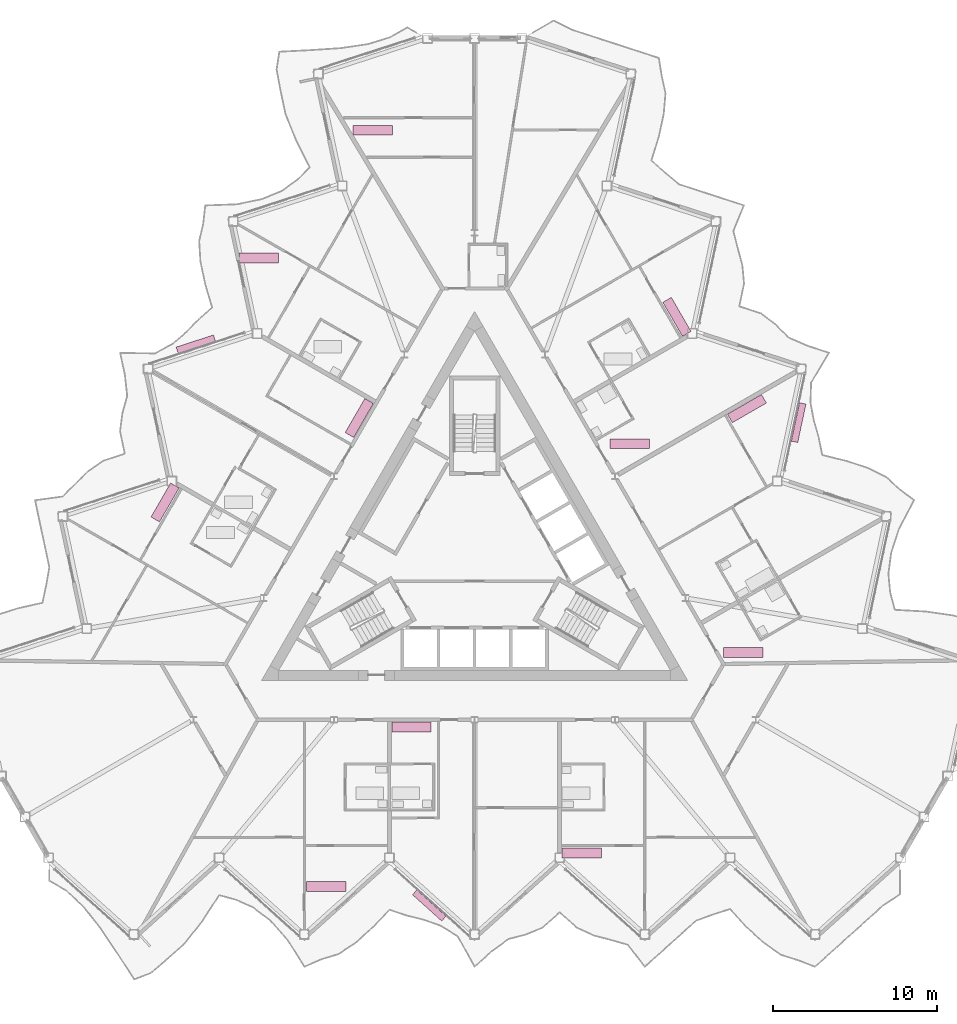
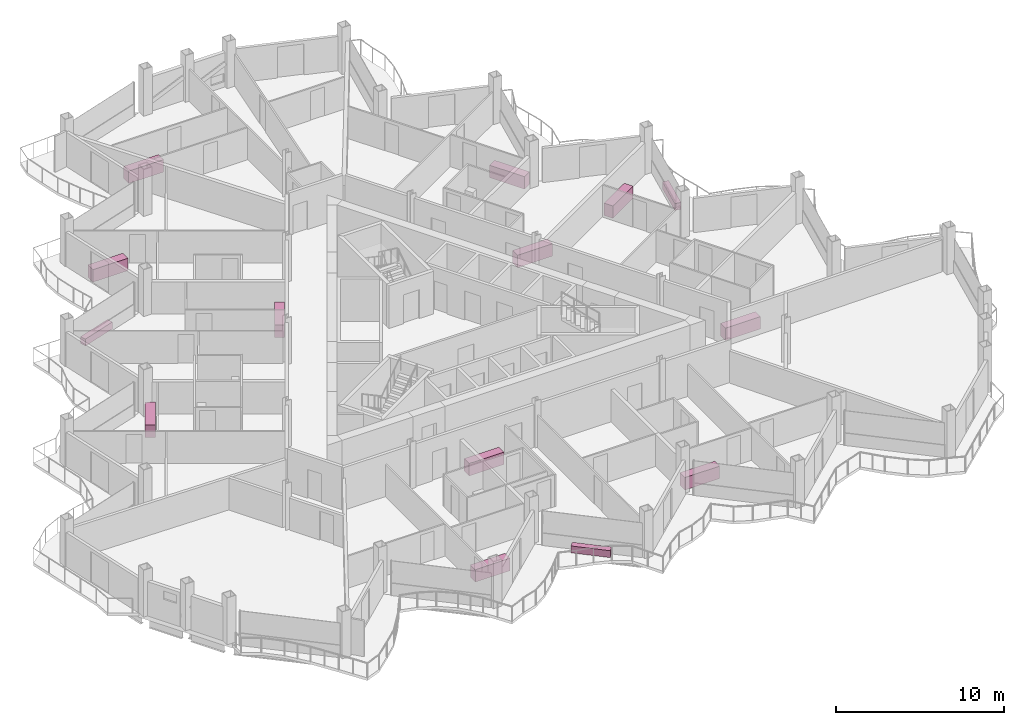
# One storey, part 26 of 26: 14 furniture elements.
"""IFC4 building model written with IfcOpenShell, lengths in metres."""

from ifc_helpers import new_model, si_unit, direction, frame, origin, origin_2d, place, context, subcontext, project, spatial, rectangle, extrude, material, type_object, element, save


model = new_model("IFC4")

# Units and contexts
model_context = context("Model", 3, precision=1e-05, world=origin(), true_north=direction((0.0, 1.0)))
body_context = subcontext(model_context, "Body", "Model", "MODEL_VIEW")
ifc_project = project(units=[si_unit("LENGTHUNIT", "METRE"), si_unit("AREAUNIT", "SQUARE_METRE"), si_unit("VOLUMEUNIT", "CUBIC_METRE"), si_unit("PLANEANGLEUNIT", "RADIAN"), si_unit("MASSUNIT", "GRAM", prefix="KILO")], contexts=[model_context])

# Site, building, storey
site_placement = place(None, origin())
site = spatial("IfcSite", under=ifc_project, at=site_placement, CompositionType="ELEMENT")
building_placement = place(site_placement, origin())
building = spatial("IfcBuilding", under=site, at=building_placement, Name="Cormorant Prow Tower", CompositionType="ELEMENT")
storey_placement = place(building_placement, frame((0.0, 0.0, 325.60009765625)))
storey = spatial("IfcBuildingStorey", under=building, at=storey_placement, Name="L72", CompositionType="ELEMENT", Elevation=325.60009765625)

# Furniture
ifc_material_1 = material(Name="Terracotta", Category="masonry")
furniture_type_1 = type_object("IfcFurnitureType", Name="Balcony planter 2400x400x500", AssemblyPlace="NOTDEFINED", PredefinedType="USERDEFINED", material=ifc_material_1)
for number, where, z_axis, x_axis, name in (
    (1, (-2.7646484375, -21.24267578125, 0.0), (0.0, 0.0, 1.0), (0.74314478215, -0.669130654479, 0.0), "Balcony planter S04"),
    (2, (19.779052734375, 8.22705078125, 0.0), (0.0, 0.0, 1.0), (0.207911691091, 0.978147600676, 0.0), "Balcony planter ENE04"),
    (3, (-17.014404296875, 13.015625, 0.0), (0.0, 0.0, 1.0), (-0.951056507348, -0.309017021913, 0.0), "Balcony planter WNW04"),
):
    element("IfcFurniture", number, at=place(storey_placement, frame(where, z_axis=z_axis, x_axis=x_axis)), inside=storey, type_object=furniture_type_1, Name=name, ObjectType="PLANTER", PredefinedType="USERDEFINED", context=body_context, shape_type="SweptSolid", body=[
        extrude(rectangle(XDim=2.39990234375, YDim=0.39990234375, at=origin_2d()), origin(), (0.0, 0.0, 1.0), 0.5),
    ])
ifc_material_2 = material(Name="Timber joinery", Category="wood")
furniture_type_2 = type_object("IfcFurnitureType", Name="Kitchen counter 2400x600", AssemblyPlace="NOTDEFINED", PredefinedType="NOTDEFINED", material=ifc_material_2)
for number, where, z_axis, x_axis, name in (
    (4, (-9.04443359375, -20.08203125, 0.0), (0.0, 0.0, 1.0), (1.0, 0.0, 0.0), "Kitchen counter"),
    (5, (-3.849609375, -10.3505859375, 0.0), (0.0, 0.0, 1.0), (1.0, 0.0, 0.0), "Kitchen counter"),
    (6, (6.539794921875, -18.03662109375, 0.0), (0.0, 0.0, 1.0), (1.0, 0.0, 0.0), "Kitchen counter"),
    (7, (16.40283203125, -5.8095703125, 0.0), (0.0, 0.0, 1.0), (1.0, 0.0, 0.0), "Kitchen counter"),
    (8, (16.622314453125, 9.0830078125, 0.0), (0.0, 0.0, 1.0), (0.866025403784, 0.5, 0.0), "Kitchen counter"),
    (9, (9.4609375, 6.9326171875, 0.0), (0.0, 0.0, 1.0), (1.0, 0.0, 0.0), "Kitchen counter"),
    (10, (12.350341796875, 14.681884765625, 0.0), (0.0, 0.0, 1.0), (-0.5, 0.866025403784, 0.0), "Kitchen counter"),
    (11, (-6.224853515625, 26.074462890625, 0.0), (0.0, 0.0, 1.0), (1.0, 0.0, 0.0), "Kitchen counter"),
    (12, (-13.17919921875, 18.2744140625, 0.0), (0.0, 0.0, 1.0), (1.0, 0.0, 0.0), "Kitchen counter"),
    (13, (-7.0390625, 8.50927734375, 0.0), (0.0, 0.0, 1.0), (-0.5, -0.866025403784, 0.0), "Kitchen counter"),
    (14, (-18.89013671875, 3.354736328125, 0.0), (0.0, 0.0, 1.0), (-0.5, -0.866025403784, 0.0), "Kitchen counter"),
):
    element("IfcFurniture", number, at=place(storey_placement, frame(where, z_axis=z_axis, x_axis=x_axis)), inside=storey, type_object=furniture_type_2, Name=name, PredefinedType="NOTDEFINED", context=body_context, shape_type="SweptSolid", body=[
        extrude(rectangle(XDim=2.39990234375, YDim=0.60009765625, at=origin_2d()), origin(), (0.0, 0.0, 1.0), 0.89990234375),
    ])

save(model, "model.ifc")
